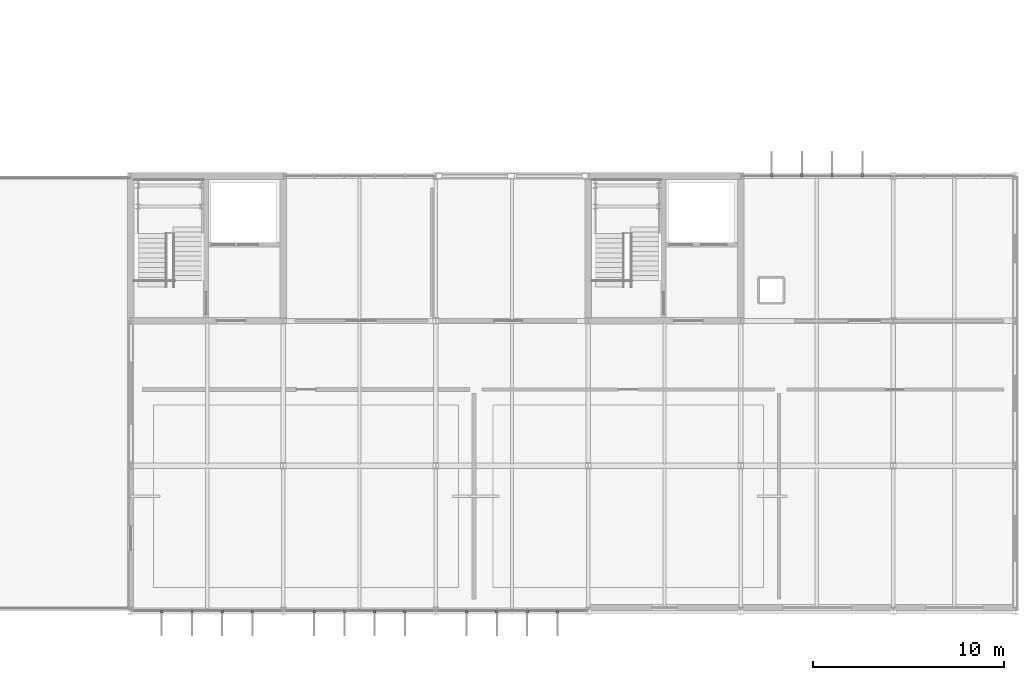
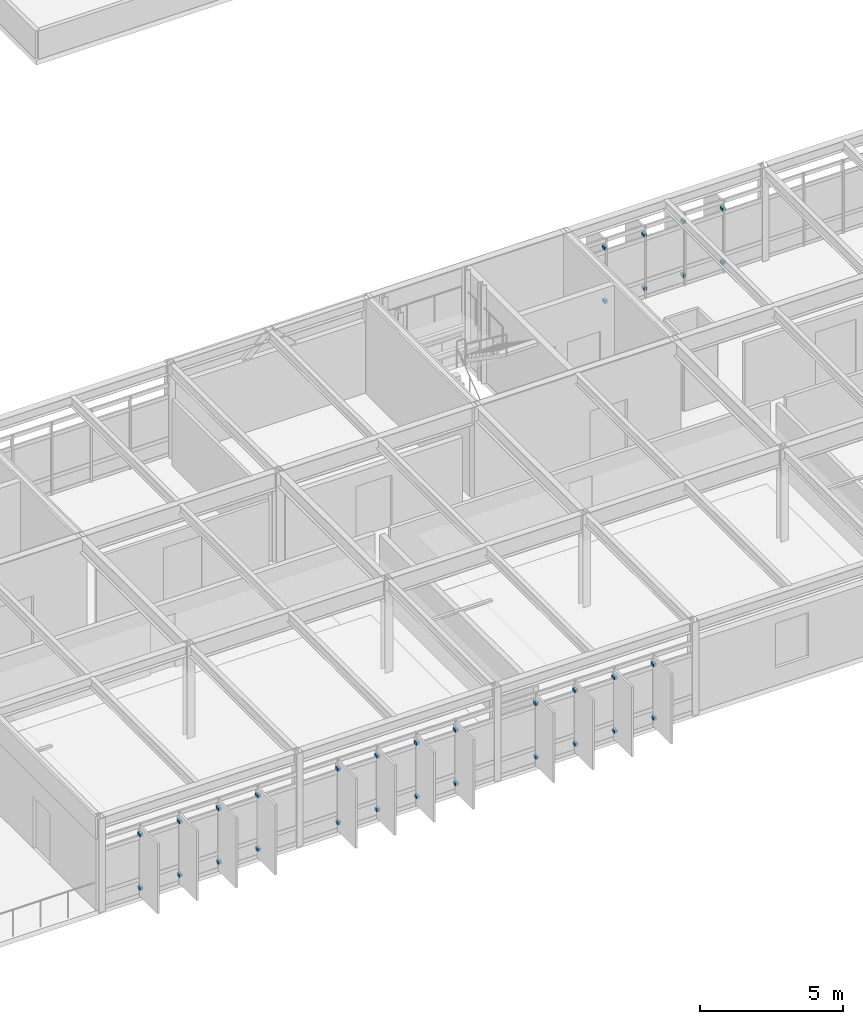
# One storey, part 18 of 21: 32 discrete accessories.
"""IFC4 building model written with IfcOpenShell, lengths in metres."""

from ifc_helpers import new_model, si_unit, direction, frame, origin, origin_2d, place, context, subcontext, project, spatial, rectangle, extrude, material, layer, layer_set, type_object, element, save


model = new_model("IFC4")

# Units and contexts
model_context = context("Model", 3, precision=1e-05, world=origin(), true_north=direction((0.0, 1.0)))
body_context = subcontext(model_context, "Body", "Model", "MODEL_VIEW")
ifc_project = project(units=[si_unit("LENGTHUNIT", "METRE"), si_unit("AREAUNIT", "SQUARE_METRE"), si_unit("VOLUMEUNIT", "CUBIC_METRE"), si_unit("PLANEANGLEUNIT", "RADIAN"), si_unit("MASSUNIT", "GRAM", prefix="KILO")], contexts=[model_context])

# Site, building, storey
site_placement = place(None, origin())
site = spatial("IfcSite", under=ifc_project, at=site_placement, CompositionType="ELEMENT")
building_placement = place(site_placement, origin())
building = spatial("IfcBuilding", under=site, at=building_placement, Name="Zulena Civic Courthouse", CompositionType="ELEMENT")
storey_placement = place(building_placement, frame((0.0, 0.0, 37.800048828125)))
storey = spatial("IfcBuildingStorey", under=building, at=storey_placement, Name="L08", CompositionType="ELEMENT", Elevation=37.800048828125)

# Discrete accessories
ifc_material = material(Name="Gold anodised architectural aluminium AA6063-T6", Category="aluminium")
ifc_layer = layer(ifc_material, 0.1201171875)
ifc_layer_set = layer_set([ifc_layer], Name="Gold anodised architectural aluminium AA6063-T6")
discrete_accessory_type = type_object("IfcDiscreteAccessoryType", Name="FinOutriggerBracket", PredefinedType="BRACKET", material=ifc_layer_set)
for number, where, z_axis, x_axis, name in (
    (1, (53.62158203125, 22.844970703125, 0.33984375), (0.0, 0.0, 1.0), (0.0, 1.0, 0.0), "brk:V2:L08:1:4:1:38.20"),
    (2, (53.62158203125, 22.844970703125, 2.6298828125), (0.0, 0.0, 1.0), (0.0, 1.0, 0.0), "brk:V2:L08:1:4:1:40.49"),
    (3, (55.207275390625, 22.844970703125, 0.33984375), (0.0, 0.0, 1.0), (0.0, 1.0, 0.0), "brk:V2:L08:1:4:2:38.20"),
    (4, (55.207275390625, 22.844970703125, 2.6298828125), (0.0, 0.0, 1.0), (0.0, 1.0, 0.0), "brk:V2:L08:1:4:2:40.49"),
    (5, (56.792724609375, 22.844970703125, 0.33984375), (0.0, 0.0, 1.0), (0.0, 1.0, 0.0), "brk:V2:L08:1:4:3:38.20"),
    (6, (56.792724609375, 22.844970703125, 2.6298828125), (0.0, 0.0, 1.0), (0.0, 1.0, 0.0), "brk:V2:L08:1:4:3:40.49"),
    (7, (58.37841796875, 22.844970703125, 0.33984375), (0.0, 0.0, 1.0), (0.0, 1.0, 0.0), "brk:V2:L08:1:4:4:38.20"),
    (8, (58.37841796875, 22.844970703125, 2.6298828125), (0.0, 0.0, 1.0), (0.0, 1.0, 0.0), "brk:V2:L08:1:4:4:40.49"),
    (9, (42.37841796875, -0.044921875, 0.33984375), (0.0, 0.0, 1.0), (0.0, -1.0, 0.0), "brk:V2:L08:3:3:1:38.20"),
    (10, (42.37841796875, -0.044921875, 2.6298828125), (0.0, 0.0, 1.0), (0.0, -1.0, 0.0), "brk:V2:L08:3:3:1:40.49"),
    (11, (40.792724609375, -0.044921875, 0.33984375), (0.0, 0.0, 1.0), (0.0, -1.0, 0.0), "brk:V2:L08:3:3:2:38.20"),
    (12, (40.792724609375, -0.044921875, 2.6298828125), (0.0, 0.0, 1.0), (0.0, -1.0, 0.0), "brk:V2:L08:3:3:2:40.49"),
    (13, (39.207275390625, -0.044921875, 0.33984375), (0.0, 0.0, 1.0), (0.0, -1.0, 0.0), "brk:V2:L08:3:3:3:38.20"),
    (14, (39.207275390625, -0.044921875, 2.6298828125), (0.0, 0.0, 1.0), (0.0, -1.0, 0.0), "brk:V2:L08:3:3:3:40.49"),
    (15, (37.62158203125, -0.044921875, 0.33984375), (0.0, 0.0, 1.0), (0.0, -1.0, 0.0), "brk:V2:L08:3:3:4:38.20"),
    (16, (37.62158203125, -0.044921875, 2.6298828125), (0.0, 0.0, 1.0), (0.0, -1.0, 0.0), "brk:V2:L08:3:3:4:40.49"),
    (17, (34.37841796875, -0.044921875, 0.33984375), (0.0, 0.0, 1.0), (0.0, -1.0, 0.0), "brk:V2:L08:3:4:1:38.20"),
    (18, (34.37841796875, -0.044921875, 2.6298828125), (0.0, 0.0, 1.0), (0.0, -1.0, 0.0), "brk:V2:L08:3:4:1:40.49"),
    (19, (32.792724609375, -0.044921875, 0.33984375), (0.0, 0.0, 1.0), (0.0, -1.0, 0.0), "brk:V2:L08:3:4:2:38.20"),
    (20, (32.792724609375, -0.044921875, 2.6298828125), (0.0, 0.0, 1.0), (0.0, -1.0, 0.0), "brk:V2:L08:3:4:2:40.49"),
    (21, (31.207275390625, -0.044921875, 0.33984375), (0.0, 0.0, 1.0), (0.0, -1.0, 0.0), "brk:V2:L08:3:4:3:38.20"),
    (22, (31.207275390625, -0.044921875, 2.6298828125), (0.0, 0.0, 1.0), (0.0, -1.0, 0.0), "brk:V2:L08:3:4:3:40.49"),
    (23, (29.62158203125, -0.044921875, 0.33984375), (0.0, 0.0, 1.0), (0.0, -1.0, 0.0), "brk:V2:L08:3:4:4:38.20"),
    (24, (29.62158203125, -0.044921875, 2.6298828125), (0.0, 0.0, 1.0), (0.0, -1.0, 0.0), "brk:V2:L08:3:4:4:40.49"),
    (25, (26.37841796875, -0.044921875, 0.33984375), (0.0, 0.0, 1.0), (0.0, -1.0, 0.0), "brk:V2:L08:3:5:1:38.20"),
    (26, (26.37841796875, -0.044921875, 2.6298828125), (0.0, 0.0, 1.0), (0.0, -1.0, 0.0), "brk:V2:L08:3:5:1:40.49"),
    (27, (24.792724609375, -0.044921875, 0.33984375), (0.0, 0.0, 1.0), (0.0, -1.0, 0.0), "brk:V2:L08:3:5:2:38.20"),
    (28, (24.792724609375, -0.044921875, 2.6298828125), (0.0, 0.0, 1.0), (0.0, -1.0, 0.0), "brk:V2:L08:3:5:2:40.49"),
    (29, (23.207275390625, -0.044921875, 0.33984375), (0.0, 0.0, 1.0), (0.0, -1.0, 0.0), "brk:V2:L08:3:5:3:38.20"),
    (30, (23.207275390625, -0.044921875, 2.6298828125), (0.0, 0.0, 1.0), (0.0, -1.0, 0.0), "brk:V2:L08:3:5:3:40.49"),
    (31, (21.62158203125, -0.044921875, 0.33984375), (0.0, 0.0, 1.0), (0.0, -1.0, 0.0), "brk:V2:L08:3:5:4:38.20"),
    (32, (21.62158203125, -0.044921875, 2.6298828125), (0.0, 0.0, 1.0), (0.0, -1.0, 0.0), "brk:V2:L08:3:5:4:40.49"),
):
    element("IfcDiscreteAccessory", number, at=place(storey_placement, frame(where, z_axis=z_axis, x_axis=x_axis)), inside=storey, type_object=discrete_accessory_type, Name=name, PredefinedType="BRACKET", context=body_context, shape_type="SweptSolid", body=[
        extrude(rectangle(XDim=0.179931640625, YDim=0.1201171875, at=origin_2d()), origin(), (0.0, 0.0, 1.0), 0.1201171875),
    ])

save(model, "model.ifc")
